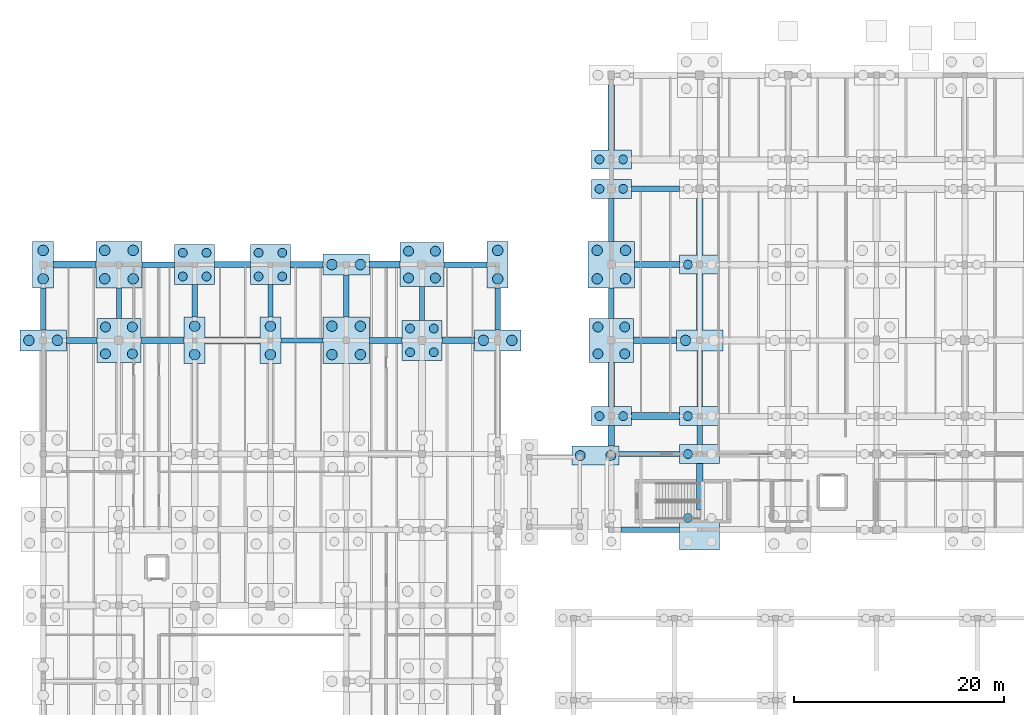
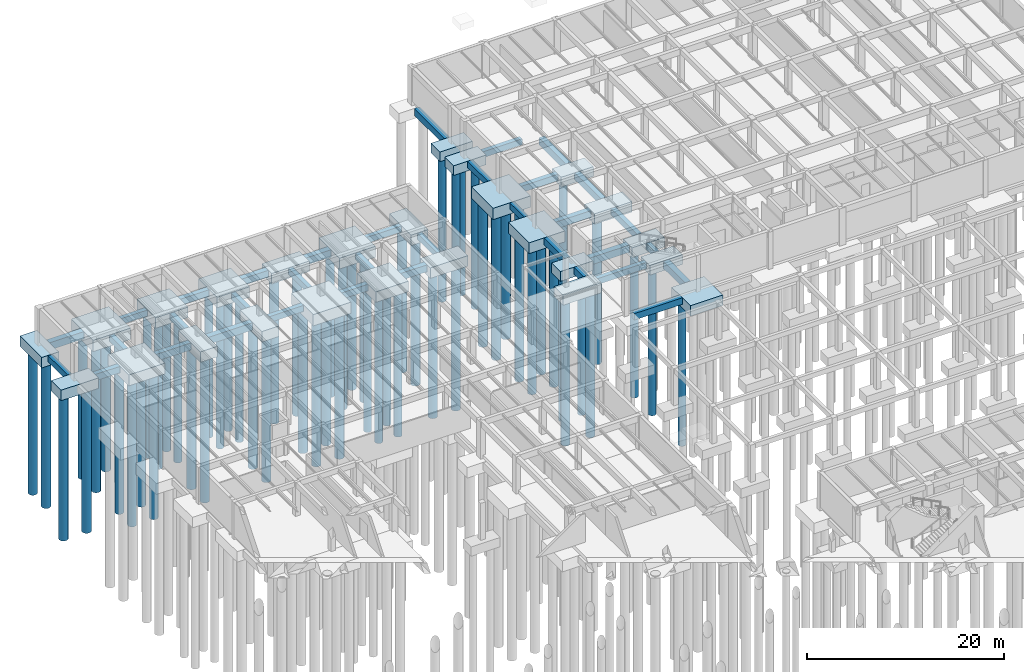
# One storey, part 8 of 63: 63 piles, 60 footings.
"""IFC4 building model written with IfcOpenShell, lengths in metres."""

import ifcopenshell
import ifcopenshell.guid

model = None  # the IFC model being written
_history = None  # IfcOwnerHistory: only IFC2X3 demands one
_inside = {}  # id of a spatial element -> (the spatial element, [elements in it])
_under = {}  # id of a project, library or spatial element -> (it, [spatial elements below it])
_declared = {}  # id of a project -> (the project, [libraries it declares])
_typed = {}  # id of a type object -> (the type object, [elements of that type])
_made_of = {}  # id of a material, layer set ... -> (it, [elements and type objects made of it])


def new_model(schema):
    """Start an empty IFC model of exactly this schema.

    Asked for "IFC4X3", IfcOpenShell would pick the latest addendum, in which some entities
    have other attributes; the version numbers below select the first issue.
    IFC2X3 requires an IfcOwnerHistory on every rooted entity: one is made here for all.
    """
    global model, _history
    if schema == "IFC4X3":
        model = ifcopenshell.file(schema_version=(4, 3, 0, 0))
    else:
        model = ifcopenshell.file(schema=schema)
    _inside.clear()
    _under.clear()
    _declared.clear()
    _typed.clear()
    _made_of.clear()
    _history = None
    if model.schema == "IFC2X3":
        org = make("IfcOrganization", Name="unknown")
        user = make(
            "IfcPersonAndOrganization",
            ThePerson=make("IfcPerson", FamilyName="unknown"),
            TheOrganization=org,
        )
        app = make(
            "IfcApplication",
            ApplicationDeveloper=org,
            Version="unknown",
            ApplicationFullName="unknown",
            ApplicationIdentifier="unknown",
        )
        _history = make(
            "IfcOwnerHistory",
            OwningUser=user,
            OwningApplication=app,
            ChangeAction="ADDED",
            CreationDate=0,
        )
    return model


def make(cls, **values):
    """One entity of the class cls with the attributes given. An attribute that is None is left unset."""
    return model.create_entity(
        cls, **{name: value for name, value in values.items() if value is not None}
    )


def rooted(cls, **values):
    """An entity with a GlobalId (a new one), such as an element, a storey or a relation."""
    return make(cls, GlobalId=ifcopenshell.guid.new(), OwnerHistory=_history, **values)


def si_unit(unit_type, name, prefix=None):
    """IfcSIUnit, for example si_unit("LENGTHUNIT", "METRE", prefix="MILLI")."""
    return make("IfcSIUnit", UnitType=unit_type, Prefix=prefix, Name=name)


def assignment(units):
    """IfcUnitAssignment: the units of a project."""
    return None if units is None else make("IfcUnitAssignment", Units=units)


def point(xyz):
    """IfcCartesianPoint."""
    return None if xyz is None else make("IfcCartesianPoint", Coordinates=xyz)


def direction(xyz):
    """IfcDirection."""
    return None if xyz is None else make("IfcDirection", DirectionRatios=xyz)


def frame(location, z_axis=None, x_axis=None):
    """IfcAxis2Placement3D, a coordinate frame: its origin and axes. An axis left out is left unset."""
    return make(
        "IfcAxis2Placement3D",
        Location=point(location),
        Axis=direction(z_axis),
        RefDirection=direction(x_axis),
    )


def frame_2d(location, x_axis=None):
    """IfcAxis2Placement2D, a coordinate frame in the plane: its origin and x axis."""
    return make(
        "IfcAxis2Placement2D", Location=point(location), RefDirection=direction(x_axis)
    )


def origin():
    """The frame at (0, 0, 0) with its axes left unset."""
    return frame((0.0, 0.0, 0.0))


def origin_2d():
    """The frame at (0, 0) in the plane with its x axis left unset."""
    return frame_2d((0.0, 0.0))


def place(relative_to, where):
    """IfcLocalPlacement: puts the frame where relative to a parent placement (None: the world)."""
    return make(
        "IfcLocalPlacement", PlacementRelTo=relative_to, RelativePlacement=where
    )


def context(
    kind, dimensions, precision=None, world=None, true_north=None, identifier=None
):
    """IfcGeometricRepresentationContext, for example the 3D "Model" context."""
    return make(
        "IfcGeometricRepresentationContext",
        ContextIdentifier=identifier,
        ContextType=kind,
        CoordinateSpaceDimension=dimensions,
        Precision=precision,
        WorldCoordinateSystem=world,
        TrueNorth=true_north,
    )


def subcontext(parent, identifier, kind, view, scale=None):
    """IfcGeometricRepresentationSubContext, for example "Body" below "Model"."""
    return make(
        "IfcGeometricRepresentationSubContext",
        ContextIdentifier=identifier,
        ContextType=kind,
        ParentContext=parent,
        TargetScale=scale,
        TargetView=view,
    )


def project(units=None, contexts=None):
    """IfcProject with its units and contexts."""
    return rooted(
        "IfcProject",
        Name="project",
        RepresentationContexts=contexts,
        UnitsInContext=assignment(units),
    )


def spatial(cls, under=None, at=None, **own):
    """A site, building, storey or space (cls), placed at a placement, below another one or the project."""
    s = rooted(cls, ObjectPlacement=at, **own)
    if under is not None:
        _under.setdefault(under.id(), (under, []))[1].append(s)
    return s


def profile(cls, at=None, kind="AREA", **sizes):
    """A parametric profile (cls). Its sizes go by their IFC names, for example OverallWidth=200.0."""
    return make(cls, ProfileType=kind, Position=at, **sizes)


def rectangle(**sizes):
    """IfcRectangleProfileDef."""
    return profile("IfcRectangleProfileDef", **sizes)


def circle(**sizes):
    """IfcCircleProfileDef."""
    return profile("IfcCircleProfileDef", **sizes)


def extrude(swept, where, along, depth):
    """IfcExtrudedAreaSolid: the profile swept, set in the frame where, extruded along a direction by depth."""
    return make(
        "IfcExtrudedAreaSolid",
        SweptArea=swept,
        Position=where,
        ExtrudedDirection=direction(along),
        Depth=depth,
    )


def shape(context_of_items, identifier, shape_type, items):
    """IfcShapeRepresentation: the items that make up one representation, for example the "Body"."""
    return make(
        "IfcShapeRepresentation",
        ContextOfItems=context_of_items,
        RepresentationIdentifier=identifier,
        RepresentationType=shape_type,
        Items=items,
    )


def material(Name=None, Category=None):
    """IfcMaterial."""
    return make("IfcMaterial", Name=Name, Category=Category)


def material_profile(
    of_material, cross_section, Name=None, Category=None, Priority=None
):
    """IfcMaterialProfile: a cross section and its material."""
    return make(
        "IfcMaterialProfile",
        Name=Name,
        Material=of_material,
        Profile=cross_section,
        Priority=Priority,
        Category=Category,
    )


def profile_set(profiles, Name=None, composite=None):
    """IfcMaterialProfileSet."""
    return make(
        "IfcMaterialProfileSet",
        Name=Name,
        MaterialProfiles=profiles,
        CompositeProfile=composite,
    )


def made_of(thing, what):
    """Note that an element or type object is made of a material, layer set ...; save() writes the relation."""
    if what is not None:
        _made_of.setdefault(what.id(), (what, []))[1].append(thing)
    return thing


def type_object(cls, material=None, **own):
    """A type object (cls), such as IfcWallType, which elements share."""
    return made_of(rooted(cls, **own), material)


def element(
    cls,
    number,
    at=None,
    inside=None,
    cuts=None,
    type_object=None,
    material=None,
    context=None,
    identifier="Body",
    shape_type=None,
    held_by="IfcProductDefinitionShape",
    body=None,
    shapes=None,
    **own,
):
    """One element of the class cls, such as IfcWall. Its Tag is "e" and its number.

    at: its placement. inside: the storey or other place that contains it. cuts: it is an
    opening in that element (IfcRelVoidsElement). A single representation is given by context,
    identifier, shape_type and body (its items); several are given by shapes. held_by: the class
    of the entity that holds the representations. save() writes the other relations.
    """
    e = rooted(cls, Tag="e%d" % number, ObjectPlacement=at, **own)
    if body is not None:
        shapes = [shape(context, identifier, shape_type, body)]
    if shapes is not None:
        e.Representation = make(held_by, Representations=shapes)
    if inside is not None:
        _inside.setdefault(inside.id(), (inside, []))[1].append(e)
    if cuts is not None:
        rooted(
            "IfcRelVoidsElement", RelatingBuildingElement=cuts, RelatedOpeningElement=e
        )
    if type_object is not None:
        _typed.setdefault(type_object.id(), (type_object, []))[1].append(e)
    return made_of(e, material)


def aggregate(whole, parts):
    """IfcRelAggregates: a whole, such as a stair, and the parts it consists of."""
    return rooted("IfcRelAggregates", RelatingObject=whole, RelatedObjects=parts)


def save(model, path):
    """Write the relations noted so far, then the file.

    IfcRelAggregates (storeys below a building ...), IfcRelContainedInSpatialStructure (elements
    in a storey), IfcRelDefinesByType, IfcRelAssociatesMaterial and IfcRelDeclares: one each for
    every whole, place, type object, material and project.
    """
    for whole, parts in _under.values():
        aggregate(whole, parts)
    for where, things in _inside.values():
        rooted(
            "IfcRelContainedInSpatialStructure",
            RelatedElements=things,
            RelatingStructure=where,
        )
    for kind, things in _typed.values():
        rooted("IfcRelDefinesByType", RelatedObjects=things, RelatingType=kind)
    for what, things in _made_of.values():
        rooted("IfcRelAssociatesMaterial", RelatedObjects=things, RelatingMaterial=what)
    for by, libraries in _declared.values():
        rooted("IfcRelDeclares", RelatingContext=by, RelatedDefinitions=libraries)
    model.write(path)


model = new_model("IFC4")

# Units and contexts
model_context = context("Model", 3, precision=1e-05, world=origin(), true_north=direction((0.0, 1.0)))
body_context = subcontext(model_context, "Body", "Model", "MODEL_VIEW")
ifc_project = project(units=[si_unit("LENGTHUNIT", "METRE"), si_unit("AREAUNIT", "SQUARE_METRE"), si_unit("VOLUMEUNIT", "CUBIC_METRE"), si_unit("PLANEANGLEUNIT", "RADIAN"), si_unit("MASSUNIT", "GRAM", prefix="KILO")], contexts=[model_context])

# Site, building, storey
site_placement = place(None, origin())
site = spatial("IfcSite", under=ifc_project, at=site_placement, CompositionType="ELEMENT")
building_placement = place(site_placement, origin())
building = spatial("IfcBuilding", under=site, at=building_placement, Name="Mazaris Harbour Polytechnic", CompositionType="ELEMENT")
storey_placement = place(building_placement, frame((0.0, 0.0, -4.5)))
storey = spatial("IfcBuildingStorey", under=building, at=storey_placement, Name="B1", CompositionType="ELEMENT", Elevation=-4.5)

# Piles
ifc_material_1 = material(Name="Concrete C35/45", Category="concrete")
ifc_material_profile_1 = material_profile(ifc_material_1, circle(Radius=0.5, at=origin_2d()), Name="DIA1000")
ifc_profile_set_1 = profile_set([ifc_material_profile_1], Name="Concrete C35/45")
pile_type_1 = type_object("IfcPileType", Name="Bored Pile 1000", PredefinedType="BORED", material=ifc_profile_set_1)
for number, where, z_axis, x_axis, name in (
    (1, (52.64990234375, 99.449951171875, -1.760009765625), (0.0, 0.0, -1.0), (1.0, 0.0, 0.0), "Bored Pile BP-005-1"),
    (2, (55.35009765625, 99.449951171875, -1.760009765625), (0.0, 0.0, -1.0), (1.0, 0.0, 0.0), "Bored Pile BP-005-2"),
    (3, (52.64990234375, 102.14990234375, -1.760009765625), (0.0, 0.0, -1.0), (1.0, 0.0, 0.0), "Bored Pile BP-005-3"),
    (4, (55.35009765625, 102.14990234375, -1.760009765625), (0.0, 0.0, -1.0), (1.0, 0.0, 0.0), "Bored Pile BP-005-4"),
    (5, (61.050048828125, 93.60009765625, -1.659912109375), (0.0, 0.0, -1.0), (1.0, 0.0, 0.0), "Bored Pile BP-012-1"),
    (6, (-1.35009765625, 93.60009765625, -1.6201171875), (0.0, 0.0, -1.0), (1.0, 0.0, 0.0), "Bored Pile BP-163-1"),
    (7, (1.35009765625, 93.60009765625, -1.6201171875), (0.0, 0.0, -1.0), (1.0, 0.0, 0.0), "Bored Pile BP-163-2"),
    (8, (0.0, 99.449951171875, -1.6201171875), (0.0, 0.0, -1.0), (1.0, 0.0, 0.0), "Bored Pile BP-164-1"),
    (9, (0.0, 102.14990234375, -1.6201171875), (0.0, 0.0, -1.0), (1.0, 0.0, 0.0), "Bored Pile BP-164-2"),
    (10, (5.85009765625, 99.449951171875, -1.719970703125), (0.0, 0.0, -1.0), (1.0, 0.0, 0.0), "Bored Pile BP-177-1"),
    (11, (8.550048828125, 99.449951171875, -1.719970703125), (0.0, 0.0, -1.0), (1.0, 0.0, 0.0), "Bored Pile BP-177-2"),
    (12, (5.85009765625, 102.14990234375, -1.719970703125), (0.0, 0.0, -1.0), (1.0, 0.0, 0.0), "Bored Pile BP-177-3"),
    (13, (8.550048828125, 102.14990234375, -1.719970703125), (0.0, 0.0, -1.0), (1.0, 0.0, 0.0), "Bored Pile BP-177-4"),
    (14, (14.39990234375, 92.25, -1.6201171875), (0.0, 0.0, -1.0), (1.0, 0.0, 0.0), "Bored Pile BP-189-1"),
    (15, (14.39990234375, 94.949951171875, -1.6201171875), (0.0, 0.0, -1.0), (1.0, 0.0, 0.0), "Bored Pile BP-189-2"),
    (16, (21.60009765625, 92.25, -1.6201171875), (0.0, 0.0, -1.0), (1.0, 0.0, 0.0), "Bored Pile BP-199-1"),
    (17, (21.60009765625, 94.949951171875, -1.6201171875), (0.0, 0.0, -1.0), (1.0, 0.0, 0.0), "Bored Pile BP-199-2"),
    (18, (27.449951171875, 92.25, -1.719970703125), (0.0, 0.0, -1.0), (1.0, 0.0, 0.0), "Bored Pile BP-212-1"),
    (19, (30.14990234375, 92.25, -1.719970703125), (0.0, 0.0, -1.0), (1.0, 0.0, 0.0), "Bored Pile BP-212-2"),
    (20, (27.449951171875, 94.949951171875, -1.719970703125), (0.0, 0.0, -1.0), (1.0, 0.0, 0.0), "Bored Pile BP-212-3"),
    (21, (30.14990234375, 94.949951171875, -1.719970703125), (0.0, 0.0, -1.0), (1.0, 0.0, 0.0), "Bored Pile BP-212-4"),
    (22, (27.449951171875, 100.800048828125, -1.6201171875), (0.0, 0.0, -1.0), (1.0, 0.0, 0.0), "Bored Pile BP-213-1"),
    (23, (30.14990234375, 100.800048828125, -1.6201171875), (0.0, 0.0, -1.0), (1.0, 0.0, 0.0), "Bored Pile BP-213-2"),
    (24, (41.85009765625, 93.60009765625, -1.6201171875), (0.0, 0.0, -1.0), (1.0, 0.0, 0.0), "Bored Pile BP-238-1"),
    (25, (44.550048828125, 93.60009765625, -1.6201171875), (0.0, 0.0, -1.0), (1.0, 0.0, 0.0), "Bored Pile BP-238-2"),
    (26, (43.199951171875, 99.449951171875, -1.6201171875), (0.0, 0.0, -1.0), (1.0, 0.0, 0.0), "Bored Pile BP-239-1"),
    (27, (43.199951171875, 102.14990234375, -1.6201171875), (0.0, 0.0, -1.0), (1.0, 0.0, 0.0), "Bored Pile BP-239-2"),
):
    element("IfcPile", number, at=place(storey_placement, frame(where, z_axis=z_axis, x_axis=x_axis)), inside=storey, type_object=pile_type_1, Name=name, PredefinedType="BORED", context=body_context, shape_type="SweptSolid", body=[
        extrude(circle(Radius=0.5, at=origin_2d()), origin(), (0.0, 0.0, 1.0), 18.0),
    ])
ifc_material_2 = material(Name="Concrete C35/45", Category="concrete")
ifc_material_profile_2 = material_profile(ifc_material_2, circle(Radius=0.425048828125, at=origin_2d()), Name="DIA850")
ifc_profile_set_2 = profile_set([ifc_material_profile_2], Name="Concrete C35/45")
pile_type_2 = type_object("IfcPileType", Name="Bored Pile 850", PredefinedType="BORED", material=ifc_profile_set_2)
for number, where, z_axis, x_axis, name in (
    (28, (52.873779296875, 86.39990234375, -1.56005859375), (0.0, 0.0, -1.0), (1.0, 0.0, 0.0), "Bored Pile BP-003-1"),
    (29, (55.126220703125, 86.39990234375, -1.56005859375), (0.0, 0.0, -1.0), (1.0, 0.0, 0.0), "Bored Pile BP-003-2"),
    (30, (52.873779296875, 108.0, -1.56005859375), (0.0, 0.0, -1.0), (1.0, 0.0, 0.0), "Bored Pile BP-006-1"),
    (31, (55.126220703125, 108.0, -1.56005859375), (0.0, 0.0, -1.0), (1.0, 0.0, 0.0), "Bored Pile BP-006-2"),
    (32, (52.873779296875, 110.800048828125, -1.56005859375), (0.0, 0.0, -1.0), (1.0, 0.0, 0.0), "Bored Pile BP-007-1"),
    (33, (55.126220703125, 110.800048828125, -1.56005859375), (0.0, 0.0, -1.0), (1.0, 0.0, 0.0), "Bored Pile BP-007-2"),
    (34, (61.273681640625, 76.726318359375, -1.659912109375), (0.0, 0.0, -1.0), (1.0, 0.0, 0.0), "Bored Pile BP-009-3"),
    (35, (61.273681640625, 82.800048828125, -1.56005859375), (0.0, 0.0, -1.0), (1.0, 0.0, 0.0), "Bored Pile BP-010-1"),
    (36, (61.273681640625, 86.39990234375, -1.56005859375), (0.0, 0.0, -1.0), (1.0, 0.0, 0.0), "Bored Pile BP-011-1"),
    (37, (61.273681640625, 100.800048828125, -1.56005859375), (0.0, 0.0, -1.0), (1.0, 0.0, 0.0), "Bored Pile BP-013-1"),
    (38, (13.273681640625, 99.673828125, -1.6201171875), (0.0, 0.0, -1.0), (1.0, 0.0, 0.0), "Bored Pile BP-190-1"),
    (39, (15.526123046875, 99.673828125, -1.6201171875), (0.0, 0.0, -1.0), (1.0, 0.0, 0.0), "Bored Pile BP-190-2"),
    (40, (13.273681640625, 101.92626953125, -1.6201171875), (0.0, 0.0, -1.0), (1.0, 0.0, 0.0), "Bored Pile BP-190-3"),
    (41, (15.526123046875, 101.92626953125, -1.6201171875), (0.0, 0.0, -1.0), (1.0, 0.0, 0.0), "Bored Pile BP-190-4"),
    (42, (20.473876953125, 99.673828125, -1.6201171875), (0.0, 0.0, -1.0), (1.0, 0.0, 0.0), "Bored Pile BP-200-1"),
    (43, (22.726318359375, 99.673828125, -1.6201171875), (0.0, 0.0, -1.0), (1.0, 0.0, 0.0), "Bored Pile BP-200-2"),
    (44, (20.473876953125, 101.92626953125, -1.6201171875), (0.0, 0.0, -1.0), (1.0, 0.0, 0.0), "Bored Pile BP-200-3"),
    (45, (22.726318359375, 101.92626953125, -1.6201171875), (0.0, 0.0, -1.0), (1.0, 0.0, 0.0), "Bored Pile BP-200-4"),
    (46, (34.873779296875, 92.473876953125, -1.6201171875), (0.0, 0.0, -1.0), (1.0, 0.0, 0.0), "Bored Pile BP-225-1"),
    (47, (37.126220703125, 92.473876953125, -1.6201171875), (0.0, 0.0, -1.0), (1.0, 0.0, 0.0), "Bored Pile BP-225-2"),
    (48, (34.873779296875, 94.726318359375, -1.6201171875), (0.0, 0.0, -1.0), (1.0, 0.0, 0.0), "Bored Pile BP-225-3"),
    (49, (37.126220703125, 94.726318359375, -1.6201171875), (0.0, 0.0, -1.0), (1.0, 0.0, 0.0), "Bored Pile BP-225-4"),
):
    element("IfcPile", number, at=place(storey_placement, frame(where, z_axis=z_axis, x_axis=x_axis)), inside=storey, type_object=pile_type_2, Name=name, PredefinedType="BORED", context=body_context, shape_type="SweptSolid", body=[
        extrude(circle(Radius=0.425048828125, at=origin_2d()), origin(), (0.0, 0.0, 1.0), 18.0),
    ])
ifc_material_3 = material(Name="Concrete C35/45", Category="concrete")
ifc_material_profile_3 = material_profile(ifc_material_3, circle(Radius=0.47509765625, at=origin_2d()), Name="DIA950")
ifc_profile_set_3 = profile_set([ifc_material_profile_3], Name="Concrete C35/45")
pile_type_3 = type_object("IfcPileType", Name="Bored Pile 950", PredefinedType="BORED", material=ifc_profile_set_3)
for number, where, z_axis, x_axis, name in (
    (50, (51.044921875, 82.64990234375, -1.610107421875), (0.0, 0.0, -1.0), (1.0, 0.0, 0.0), "Bored Pile BP-002-1"),
    (51, (53.955078125, 82.64990234375, -1.610107421875), (0.0, 0.0, -1.0), (1.0, 0.0, 0.0), "Bored Pile BP-002-2"),
    (52, (52.72509765625, 92.324951171875, -1.7099609375), (0.0, 0.0, -1.0), (1.0, 0.0, 0.0), "Bored Pile BP-004-1"),
    (53, (55.27490234375, 92.324951171875, -1.7099609375), (0.0, 0.0, -1.0), (1.0, 0.0, 0.0), "Bored Pile BP-004-2"),
    (54, (52.72509765625, 94.875, -1.7099609375), (0.0, 0.0, -1.0), (1.0, 0.0, 0.0), "Bored Pile BP-004-3"),
    (55, (55.27490234375, 94.875, -1.7099609375), (0.0, 0.0, -1.0), (1.0, 0.0, 0.0), "Bored Pile BP-004-4"),
    (56, (5.925048828125, 92.324951171875, -1.669921875), (0.0, 0.0, -1.0), (1.0, 0.0, 0.0), "Bored Pile BP-176-1"),
    (57, (8.47509765625, 92.324951171875, -1.669921875), (0.0, 0.0, -1.0), (1.0, 0.0, 0.0), "Bored Pile BP-176-2"),
    (58, (5.925048828125, 94.875, -1.669921875), (0.0, 0.0, -1.0), (1.0, 0.0, 0.0), "Bored Pile BP-176-3"),
    (59, (8.47509765625, 94.875, -1.669921875), (0.0, 0.0, -1.0), (1.0, 0.0, 0.0), "Bored Pile BP-176-4"),
    (60, (34.72509765625, 99.52490234375, -1.669921875), (0.0, 0.0, -1.0), (1.0, 0.0, 0.0), "Bored Pile BP-226-1"),
    (61, (37.27490234375, 99.52490234375, -1.669921875), (0.0, 0.0, -1.0), (1.0, 0.0, 0.0), "Bored Pile BP-226-2"),
    (62, (34.72509765625, 102.074951171875, -1.669921875), (0.0, 0.0, -1.0), (1.0, 0.0, 0.0), "Bored Pile BP-226-3"),
    (63, (37.27490234375, 102.074951171875, -1.669921875), (0.0, 0.0, -1.0), (1.0, 0.0, 0.0), "Bored Pile BP-226-4"),
):
    element("IfcPile", number, at=place(storey_placement, frame(where, z_axis=z_axis, x_axis=x_axis)), inside=storey, type_object=pile_type_3, Name=name, PredefinedType="BORED", context=body_context, shape_type="SweptSolid", body=[
        extrude(circle(Radius=0.47509765625, at=origin_2d()), origin(), (0.0, 0.0, 1.0), 18.0),
    ])

# Footings
ifc_material_4 = material(Name="Concrete C35/45", Category="concrete")
footing_type_1 = type_object("IfcFootingType", Name="Pile Cap 2000x4400x1300", PredefinedType="PILE_CAP", material=ifc_material_4)
for number, where, z_axis, x_axis, name in (
    (64, (0.0, 100.800048828125, -1.72021484375), (0.0, 0.0, 1.0), (1.0, 0.0, 0.0), "Pile Cap CAP-164"),
    (65, (14.39990234375, 93.60009765625, -1.72021484375), (0.0, 0.0, 1.0), (1.0, 0.0, 0.0), "Pile Cap CAP-189"),
    (66, (21.60009765625, 93.60009765625, -1.72021484375), (0.0, 0.0, 1.0), (1.0, 0.0, 0.0), "Pile Cap CAP-199"),
    (67, (43.199951171875, 100.800048828125, -1.72021484375), (0.0, 0.0, 1.0), (1.0, 0.0, 0.0), "Pile Cap CAP-239"),
):
    element("IfcFooting", number, at=place(storey_placement, frame(where, z_axis=z_axis, x_axis=x_axis)), inside=storey, type_object=footing_type_1, Name=name, PredefinedType="PILE_CAP", context=body_context, shape_type="SweptSolid", body=[
        extrude(rectangle(XDim=2.0, YDim=4.39990234375, at=origin_2d()), origin(), (0.0, 0.0, 1.0), 1.300048828125),
    ])
ifc_material_5 = material(Name="Concrete C35/45", Category="concrete")
footing_type_2 = type_object("IfcFootingType", Name="Pile Cap 3800x1800x1200", PredefinedType="PILE_CAP", material=ifc_material_5)
for number, where, z_axis, x_axis, name in (
    (68, (54.0, 86.39990234375, -1.66015625), (0.0, 0.0, 1.0), (1.0, 0.0, 0.0), "Pile Cap CAP-003"),
    (69, (54.0, 108.0, -1.66015625), (0.0, 0.0, 1.0), (1.0, 0.0, 0.0), "Pile Cap CAP-006"),
    (70, (54.0, 110.800048828125, -1.66015625), (0.0, 0.0, 1.0), (1.0, 0.0, 0.0), "Pile Cap CAP-007"),
    (71, (62.39990234375, 82.800048828125, -1.66015625), (0.0, 0.0, 1.0), (1.0, 0.0, 0.0), "Pile Cap CAP-010"),
    (72, (62.39990234375, 86.39990234375, -1.66015625), (0.0, 0.0, 1.0), (1.0, 0.0, 0.0), "Pile Cap CAP-011"),
    (73, (62.39990234375, 100.800048828125, -1.66015625), (0.0, 0.0, 1.0), (1.0, 0.0, 0.0), "Pile Cap CAP-013"),
):
    element("IfcFooting", number, at=place(storey_placement, frame(where, z_axis=z_axis, x_axis=x_axis)), inside=storey, type_object=footing_type_2, Name=name, PredefinedType="PILE_CAP", context=body_context, shape_type="SweptSolid", body=[
        extrude(rectangle(XDim=3.800048828125, YDim=1.800048828125, at=origin_2d()), origin(), (0.0, 0.0, 1.0), 1.199951171875),
    ])
ifc_material_6 = material(Name="Concrete C35/45", Category="concrete")
footing_type_3 = type_object("IfcFootingType", Name="Pile Cap 3800x3800x1300", PredefinedType="PILE_CAP", material=ifc_material_6)
for number, where, z_axis, x_axis, name in (
    (74, (62.39990234375, 75.60009765625, -1.76025390625), (0.0, 0.0, 1.0), (1.0, 0.0, 0.0), "Pile Cap CAP-009"),
    (75, (14.39990234375, 100.800048828125, -1.72021484375), (0.0, 0.0, 1.0), (1.0, 0.0, 0.0), "Pile Cap CAP-190"),
    (76, (21.60009765625, 100.800048828125, -1.72021484375), (0.0, 0.0, 1.0), (1.0, 0.0, 0.0), "Pile Cap CAP-200"),
    (77, (36.0, 93.60009765625, -1.72021484375), (0.0, 0.0, 1.0), (1.0, 0.0, 0.0), "Pile Cap CAP-225"),
):
    element("IfcFooting", number, at=place(storey_placement, frame(where, z_axis=z_axis, x_axis=x_axis)), inside=storey, type_object=footing_type_3, Name=name, PredefinedType="PILE_CAP", context=body_context, shape_type="SweptSolid", body=[
        extrude(rectangle(XDim=3.800048828125, YDim=3.800048828125, at=origin_2d()), origin(), (0.0, 0.0, 1.0), 1.300048828125),
    ])
ifc_material_7 = material(Name="Concrete C35/45", Category="concrete")
footing_type_4 = type_object("IfcFootingType", Name="Pile Cap 4200x4200x1350", PredefinedType="PILE_CAP", material=ifc_material_7)
for number, where, z_axis, x_axis, name in (
    (78, (54.0, 93.60009765625, -1.81005859375), (0.0, 0.0, 1.0), (1.0, 0.0, 0.0), "Pile Cap CAP-004"),
    (79, (7.199951171875, 93.60009765625, -1.77001953125), (0.0, 0.0, 1.0), (1.0, 0.0, 0.0), "Pile Cap CAP-176"),
    (80, (36.0, 100.800048828125, -1.77001953125), (0.0, 0.0, 1.0), (1.0, 0.0, 0.0), "Pile Cap CAP-226"),
):
    element("IfcFooting", number, at=place(storey_placement, frame(where, z_axis=z_axis, x_axis=x_axis)), inside=storey, type_object=footing_type_4, Name=name, PredefinedType="PILE_CAP", context=body_context, shape_type="SweptSolid", body=[
        extrude(rectangle(XDim=4.199951171875, YDim=4.199951171875, at=origin_2d()), origin(), (0.0, 0.0, 1.0), 1.35009765625),
    ])
ifc_material_8 = material(Name="Concrete C35/45", Category="concrete")
footing_type_5 = type_object("IfcFootingType", Name="Pile Cap 4400x2000x1300", PredefinedType="PILE_CAP", material=ifc_material_8)
for number, where, z_axis, x_axis, name in (
    (81, (62.39990234375, 93.60009765625, -1.76025390625), (0.0, 0.0, 1.0), (1.0, 0.0, 0.0), "Pile Cap CAP-012"),
    (82, (0.0, 93.60009765625, -1.72021484375), (0.0, 0.0, 1.0), (1.0, 0.0, 0.0), "Pile Cap CAP-163"),
    (83, (28.800048828125, 100.800048828125, -1.72021484375), (0.0, 0.0, 1.0), (1.0, 0.0, 0.0), "Pile Cap CAP-213"),
    (84, (43.199951171875, 93.60009765625, -1.72021484375), (0.0, 0.0, 1.0), (1.0, 0.0, 0.0), "Pile Cap CAP-238"),
):
    element("IfcFooting", number, at=place(storey_placement, frame(where, z_axis=z_axis, x_axis=x_axis)), inside=storey, type_object=footing_type_5, Name=name, PredefinedType="PILE_CAP", context=body_context, shape_type="SweptSolid", body=[
        extrude(rectangle(XDim=4.39990234375, YDim=2.0, at=origin_2d()), origin(), (0.0, 0.0, 1.0), 1.300048828125),
    ])
ifc_material_9 = material(Name="Concrete C35/45", Category="concrete")
footing_type_6 = type_object("IfcFootingType", Name="Pile Cap 4400x4400x1400", PredefinedType="PILE_CAP", material=ifc_material_9)
for number, where, z_axis, x_axis, name in (
    (85, (54.0, 100.800048828125, -1.85986328125), (0.0, 0.0, 1.0), (1.0, 0.0, 0.0), "Pile Cap CAP-005"),
    (86, (7.199951171875, 100.800048828125, -1.820068359375), (0.0, 0.0, 1.0), (1.0, 0.0, 0.0), "Pile Cap CAP-177"),
    (87, (28.800048828125, 93.60009765625, -1.820068359375), (0.0, 0.0, 1.0), (1.0, 0.0, 0.0), "Pile Cap CAP-212"),
):
    element("IfcFooting", number, at=place(storey_placement, frame(where, z_axis=z_axis, x_axis=x_axis)), inside=storey, type_object=footing_type_6, Name=name, PredefinedType="PILE_CAP", context=body_context, shape_type="SweptSolid", body=[
        extrude(rectangle(XDim=4.39990234375, YDim=4.39990234375, at=origin_2d()), origin(), (0.0, 0.0, 1.0), 1.39990234375),
    ])
ifc_material_10 = material(Name="Concrete C35/45", Category="concrete")
footing_type_7 = type_object("IfcFootingType", Name="Pile Cap 4500x1800x1250", PredefinedType="PILE_CAP", material=ifc_material_10)
footing_1_placement = place(storey_placement, frame((52.5, 82.64990234375, -1.7099609375), z_axis=(0.0, 0.0, 1.0), x_axis=(1.0, 0.0, 0.0)))
element("IfcFooting", 88, at=footing_1_placement, inside=storey, type_object=footing_type_7, Name="Pile Cap CAP-002", PredefinedType="PILE_CAP", context=body_context, shape_type="SweptSolid", body=[
    extrude(rectangle(XDim=4.5, YDim=1.800048828125, at=origin_2d()), origin(), (0.0, 0.0, 1.0), 1.25),
])
ifc_material_11 = material(Name="Concrete C35/45", Category="concrete")
ifc_material_profile_4 = material_profile(ifc_material_11, rectangle(XDim=0.5, YDim=0.75, at=origin_2d()), Name="RECT500x750")
ifc_profile_set_4 = profile_set([ifc_material_profile_4], Name="Concrete C35/45")
footing_type_8 = type_object("IfcFootingType", Name="Seismic Tie Beam 500x750", PredefinedType="FOOTING_BEAM", material=ifc_profile_set_4)
footing_2_placement = place(storey_placement, frame((54.75, 82.800048828125, -0.8349609375), z_axis=(1.0, 0.0, 0.0), x_axis=(0.0, 1.0, 0.0)))
element("IfcFooting", 89, at=footing_2_placement, inside=storey, type_object=footing_type_8, Name="Seismic Tie Beam FTB-008", PredefinedType="FOOTING_BEAM", context=body_context, shape_type="SweptSolid", body=[
    extrude(rectangle(XDim=0.5, YDim=0.75, at=origin_2d()), origin(), (0.0, 0.0, 1.0), 5.75),
])
footing_3_placement = place(storey_placement, frame((55.89990234375, 108.0, -0.8349609375), z_axis=(1.0, 0.0, 0.0), x_axis=(0.0, 1.0, 0.0)))
element("IfcFooting", 90, at=footing_3_placement, inside=storey, type_object=footing_type_8, Name="Seismic Tie Beam FTB-036", PredefinedType="FOOTING_BEAM", context=body_context, shape_type="SweptSolid", body=[
    extrude(rectangle(XDim=0.5, YDim=0.75, at=origin_2d()), origin(), (0.0, 0.0, 1.0), 4.60009765625),
])
footing_4_placement = place(storey_placement, frame((54.0, 95.699951171875, -0.8349609375), z_axis=(0.0, 1.0, 0.0), x_axis=(-1.0, 0.0, 0.0)))
element("IfcFooting", 91, at=footing_4_placement, inside=storey, type_object=footing_type_8, Name="Seismic Tie Beam FTB-060", PredefinedType="FOOTING_BEAM", context=body_context, shape_type="SweptSolid", body=[
    extrude(rectangle(XDim=0.5, YDim=0.75, at=origin_2d()), origin(), (0.0, 0.0, 1.0), 2.900146484375),
])
footing_5_placement = place(storey_placement, frame((62.39990234375, 83.699951171875, -0.8349609375), z_axis=(0.0, 1.0, 0.0), x_axis=(-1.0, 0.0, 0.0)))
element("IfcFooting", 92, at=footing_5_placement, inside=storey, type_object=footing_type_8, Name="Seismic Tie Beam FTB-064", PredefinedType="FOOTING_BEAM", context=body_context, shape_type="SweptSolid", body=[
    extrude(rectangle(XDim=0.5, YDim=0.75, at=origin_2d()), origin(), (0.0, 0.0, 1.0), 1.800048828125),
])
footing_6_placement = place(storey_placement, frame((22.60009765625, 93.60009765625, -0.8349609375), z_axis=(1.0, 0.0, 0.0), x_axis=(0.0, 1.0, 0.0)))
element("IfcFooting", 93, at=footing_6_placement, inside=storey, type_object=footing_type_8, Name="Seismic Tie Beam FTB-316", PredefinedType="FOOTING_BEAM", context=body_context, shape_type="SweptSolid", body=[
    extrude(rectangle(XDim=0.5, YDim=0.75, at=origin_2d()), origin(), (0.0, 0.0, 1.0), 4.0),
])
footing_7_placement = place(storey_placement, frame((9.39990234375, 100.800048828125, -0.8349609375), z_axis=(1.0, 0.0, 0.0), x_axis=(0.0, 1.0, 0.0)))
element("IfcFooting", 94, at=footing_7_placement, inside=storey, type_object=footing_type_8, Name="Seismic Tie Beam FTB-320", PredefinedType="FOOTING_BEAM", context=body_context, shape_type="SweptSolid", body=[
    extrude(rectangle(XDim=0.5, YDim=0.75, at=origin_2d()), origin(), (0.0, 0.0, 1.0), 3.10009765625),
])
footing_8_placement = place(storey_placement, frame((38.10009765625, 100.800048828125, -0.8349609375), z_axis=(1.0, 0.0, 0.0), x_axis=(0.0, 1.0, 0.0)))
element("IfcFooting", 95, at=footing_8_placement, inside=storey, type_object=footing_type_8, Name="Seismic Tie Beam FTB-324", PredefinedType="FOOTING_BEAM", context=body_context, shape_type="SweptSolid", body=[
    extrude(rectangle(XDim=0.5, YDim=0.75, at=origin_2d()), origin(), (0.0, 0.0, 1.0), 4.099853515625),
])
footing_9_placement = place(storey_placement, frame((0.0, 94.60009765625, -0.8349609375), z_axis=(0.0, 1.0, 0.0), x_axis=(-1.0, 0.0, 0.0)))
element("IfcFooting", 96, at=footing_9_placement, inside=storey, type_object=footing_type_8, Name="Seismic Tie Beam FTB-336", PredefinedType="FOOTING_BEAM", context=body_context, shape_type="SweptSolid", body=[
    extrude(rectangle(XDim=0.5, YDim=0.75, at=origin_2d()), origin(), (0.0, 0.0, 1.0), 4.0),
])
footing_10_placement = place(storey_placement, frame((7.199951171875, 95.699951171875, -0.8349609375), z_axis=(0.0, 1.0, 0.0), x_axis=(-1.0, 0.0, 0.0)))
element("IfcFooting", 97, at=footing_10_placement, inside=storey, type_object=footing_type_8, Name="Seismic Tie Beam FTB-348", PredefinedType="FOOTING_BEAM", context=body_context, shape_type="SweptSolid", body=[
    extrude(rectangle(XDim=0.5, YDim=0.75, at=origin_2d()), origin(), (0.0, 0.0, 1.0), 2.900146484375),
])
for number, where, z_axis, x_axis, name in (
    (98, (14.39990234375, 95.800048828125, -0.8349609375), (0.0, 1.0, 0.0), (-1.0, 0.0, 0.0), "Seismic Tie Beam FTB-360"),
    (99, (21.60009765625, 95.800048828125, -0.8349609375), (0.0, 1.0, 0.0), (-1.0, 0.0, 0.0), "Seismic Tie Beam FTB-368"),
):
    element("IfcFooting", number, at=place(storey_placement, frame(where, z_axis=z_axis, x_axis=x_axis)), inside=storey, type_object=footing_type_8, Name=name, PredefinedType="FOOTING_BEAM", context=body_context, shape_type="SweptSolid", body=[
        extrude(rectangle(XDim=0.5, YDim=0.75, at=origin_2d()), origin(), (0.0, 0.0, 1.0), 3.099853515625),
    ])
footing_11_placement = place(storey_placement, frame((28.800048828125, 95.800048828125, -0.8349609375), z_axis=(0.0, 1.0, 0.0), x_axis=(-1.0, 0.0, 0.0)))
element("IfcFooting", 100, at=footing_11_placement, inside=storey, type_object=footing_type_8, Name="Seismic Tie Beam FTB-380", PredefinedType="FOOTING_BEAM", context=body_context, shape_type="SweptSolid", body=[
    extrude(rectangle(XDim=0.5, YDim=0.75, at=origin_2d()), origin(), (0.0, 0.0, 1.0), 4.0),
])
footing_12_placement = place(storey_placement, frame((36.0, 95.5, -0.8349609375), z_axis=(0.0, 1.0, 0.0), x_axis=(-1.0, 0.0, 0.0)))
element("IfcFooting", 101, at=footing_12_placement, inside=storey, type_object=footing_type_8, Name="Seismic Tie Beam FTB-392", PredefinedType="FOOTING_BEAM", context=body_context, shape_type="SweptSolid", body=[
    extrude(rectangle(XDim=0.5, YDim=0.75, at=origin_2d()), origin(), (0.0, 0.0, 1.0), 3.199951171875),
])
footing_13_placement = place(storey_placement, frame((43.199951171875, 94.60009765625, -0.8349609375), z_axis=(0.0, 1.0, 0.0), x_axis=(-1.0, 0.0, 0.0)))
element("IfcFooting", 102, at=footing_13_placement, inside=storey, type_object=footing_type_8, Name="Seismic Tie Beam FTB-404", PredefinedType="FOOTING_BEAM", context=body_context, shape_type="SweptSolid", body=[
    extrude(rectangle(XDim=0.5, YDim=0.75, at=origin_2d()), origin(), (0.0, 0.0, 1.0), 4.0),
])
ifc_material_12 = material(Name="Concrete C35/45", Category="concrete")
ifc_material_profile_5 = material_profile(ifc_material_12, rectangle(XDim=0.550048828125, YDim=0.800048828125, at=origin_2d()), Name="RECT550x800")
ifc_profile_set_5 = profile_set([ifc_material_profile_5], Name="Concrete C35/45")
footing_type_9 = type_object("IfcFootingType", Name="Seismic Tie Beam 550x800", PredefinedType="FOOTING_BEAM", material=ifc_profile_set_5)
footing_14_placement = place(storey_placement, frame((54.89990234375, 75.60009765625, -0.860107421875), z_axis=(1.0, 0.0, 0.0), x_axis=(0.0, 1.0, 0.0)))
element("IfcFooting", 103, at=footing_14_placement, inside=storey, type_object=footing_type_9, Name="Seismic Tie Beam FTB-001", PredefinedType="FOOTING_BEAM", context=body_context, shape_type="SweptSolid", body=[
    extrude(rectangle(XDim=0.550048828125, YDim=0.800048828125, at=origin_2d()), origin(), (0.0, 0.0, 1.0), 5.60009765625),
])
footing_15_placement = place(storey_placement, frame((56.199951171875, 100.800048828125, -0.860107421875), z_axis=(1.0, 0.0, 0.0), x_axis=(0.0, 1.0, 0.0)))
element("IfcFooting", 104, at=footing_15_placement, inside=storey, type_object=footing_type_9, Name="Seismic Tie Beam FTB-029", PredefinedType="FOOTING_BEAM", context=body_context, shape_type="SweptSolid", body=[
    extrude(rectangle(XDim=0.550048828125, YDim=0.800048828125, at=origin_2d()), origin(), (0.0, 0.0, 1.0), 4.300048828125),
])
footing_16_placement = place(storey_placement, frame((54.0, 103.0, -0.860107421875), z_axis=(0.0, 1.0, 0.0), x_axis=(-1.0, 0.0, 0.0)))
element("IfcFooting", 105, at=footing_16_placement, inside=storey, type_object=footing_type_9, Name="Seismic Tie Beam FTB-061", PredefinedType="FOOTING_BEAM", context=body_context, shape_type="SweptSolid", body=[
    extrude(rectangle(XDim=0.550048828125, YDim=0.800048828125, at=origin_2d()), origin(), (0.0, 0.0, 1.0), 4.10009765625),
])
footing_17_placement = place(storey_placement, frame((62.39990234375, 87.300048828125, -0.860107421875), z_axis=(0.0, 1.0, 0.0), x_axis=(-1.0, 0.0, 0.0)))
element("IfcFooting", 106, at=footing_17_placement, inside=storey, type_object=footing_type_9, Name="Seismic Tie Beam FTB-065", PredefinedType="FOOTING_BEAM", context=body_context, shape_type="SweptSolid", body=[
    extrude(rectangle(XDim=0.550048828125, YDim=0.800048828125, at=origin_2d()), origin(), (0.0, 0.0, 1.0), 5.300048828125),
])
footing_18_placement = place(storey_placement, frame((2.199951171875, 93.60009765625, -0.860107421875), z_axis=(1.0, 0.0, 0.0), x_axis=(0.0, 1.0, 0.0)))
element("IfcFooting", 107, at=footing_18_placement, inside=storey, type_object=footing_type_9, Name="Seismic Tie Beam FTB-313", PredefinedType="FOOTING_BEAM", context=body_context, shape_type="SweptSolid", body=[
    extrude(rectangle(XDim=0.550048828125, YDim=0.800048828125, at=origin_2d()), origin(), (0.0, 0.0, 1.0), 2.900146484375),
])
footing_19_placement = place(storey_placement, frame((31.0, 93.60009765625, -0.860107421875), z_axis=(1.0, 0.0, 0.0), x_axis=(0.0, 1.0, 0.0)))
element("IfcFooting", 108, at=footing_19_placement, inside=storey, type_object=footing_type_9, Name="Seismic Tie Beam FTB-317", PredefinedType="FOOTING_BEAM", context=body_context, shape_type="SweptSolid", body=[
    extrude(rectangle(XDim=0.550048828125, YDim=0.800048828125, at=origin_2d()), origin(), (0.0, 0.0, 1.0), 3.10009765625),
])
footing_20_placement = place(storey_placement, frame((16.300048828125, 100.800048828125, -0.860107421875), z_axis=(1.0, 0.0, 0.0), x_axis=(0.0, 1.0, 0.0)))
element("IfcFooting", 109, at=footing_20_placement, inside=storey, type_object=footing_type_9, Name="Seismic Tie Beam FTB-321", PredefinedType="FOOTING_BEAM", context=body_context, shape_type="SweptSolid", body=[
    extrude(rectangle(XDim=0.550048828125, YDim=0.800048828125, at=origin_2d()), origin(), (0.0, 0.0, 1.0), 3.39990234375),
])
ifc_material_13 = material(Name="Concrete C35/45", Category="concrete")
ifc_material_profile_6 = material_profile(ifc_material_13, rectangle(XDim=0.60009765625, YDim=0.85009765625, at=origin_2d()), Name="RECT600x850")
ifc_profile_set_6 = profile_set([ifc_material_profile_6], Name="Concrete C35/45")
footing_type_10 = type_object("IfcFootingType", Name="Seismic Tie Beam 600x850", PredefinedType="FOOTING_BEAM", material=ifc_profile_set_6)
footing_21_placement = place(storey_placement, frame((56.10009765625, 93.60009765625, -0.885009765625), z_axis=(1.0, 0.0, 0.0), x_axis=(0.0, 1.0, 0.0)))
element("IfcFooting", 110, at=footing_21_placement, inside=storey, type_object=footing_type_10, Name="Seismic Tie Beam FTB-022", PredefinedType="FOOTING_BEAM", context=body_context, shape_type="SweptSolid", body=[
    extrude(rectangle(XDim=0.60009765625, YDim=0.85009765625, at=origin_2d()), origin(), (0.0, 0.0, 1.0), 4.099853515625),
])
footing_22_placement = place(storey_placement, frame((54.0, 83.550048828125, -0.885009765625), z_axis=(0.0, 1.0, 0.0), x_axis=(-1.0, 0.0, 0.0)))
element("IfcFooting", 111, at=footing_22_placement, inside=storey, type_object=footing_type_10, Name="Seismic Tie Beam FTB-058", PredefinedType="FOOTING_BEAM", context=body_context, shape_type="SweptSolid", body=[
    extrude(rectangle(XDim=0.60009765625, YDim=0.85009765625, at=origin_2d()), origin(), (0.0, 0.0, 1.0), 1.949951171875),
])
footing_23_placement = place(storey_placement, frame((54.0, 111.699951171875, -0.885009765625), z_axis=(0.0, 1.0, 0.0), x_axis=(-1.0, 0.0, 0.0)))
element("IfcFooting", 112, at=footing_23_placement, inside=storey, type_object=footing_type_10, Name="Seismic Tie Beam FTB-062", PredefinedType="FOOTING_BEAM", context=body_context, shape_type="SweptSolid", body=[
    extrude(rectangle(XDim=0.60009765625, YDim=0.85009765625, at=origin_2d()), origin(), (0.0, 0.0, 1.0), 6.150146484375),
])
footing_24_placement = place(storey_placement, frame((62.39990234375, 94.60009765625, -0.885009765625), z_axis=(0.0, 1.0, 0.0), x_axis=(-1.0, 0.0, 0.0)))
element("IfcFooting", 113, at=footing_24_placement, inside=storey, type_object=footing_type_10, Name="Seismic Tie Beam FTB-066", PredefinedType="FOOTING_BEAM", context=body_context, shape_type="SweptSolid", body=[
    extrude(rectangle(XDim=0.60009765625, YDim=0.85009765625, at=origin_2d()), origin(), (0.0, 0.0, 1.0), 5.2998046875),
])
footing_25_placement = place(storey_placement, frame((9.300048828125, 93.60009765625, -0.885009765625), z_axis=(1.0, 0.0, 0.0), x_axis=(0.0, 1.0, 0.0)))
element("IfcFooting", 114, at=footing_25_placement, inside=storey, type_object=footing_type_10, Name="Seismic Tie Beam FTB-314", PredefinedType="FOOTING_BEAM", context=body_context, shape_type="SweptSolid", body=[
    extrude(rectangle(XDim=0.60009765625, YDim=0.85009765625, at=origin_2d()), origin(), (0.0, 0.0, 1.0), 4.099853515625),
])
for number, where, z_axis, x_axis, name in (
    (115, (37.89990234375, 93.60009765625, -0.885009765625), (1.0, 0.0, 0.0), (0.0, 1.0, 0.0), "Seismic Tie Beam FTB-318"),
    (116, (23.5, 100.800048828125, -0.885009765625), (1.0, 0.0, 0.0), (0.0, 1.0, 0.0), "Seismic Tie Beam FTB-322"),
):
    element("IfcFooting", number, at=place(storey_placement, frame(where, z_axis=z_axis, x_axis=x_axis)), inside=storey, type_object=footing_type_10, Name=name, PredefinedType="FOOTING_BEAM", context=body_context, shape_type="SweptSolid", body=[
        extrude(rectangle(XDim=0.60009765625, YDim=0.85009765625, at=origin_2d()), origin(), (0.0, 0.0, 1.0), 3.10009765625),
    ])
ifc_material_14 = material(Name="Concrete C35/45", Category="concrete")
ifc_material_profile_7 = material_profile(ifc_material_14, rectangle(XDim=0.64990234375, YDim=0.89990234375, at=origin_2d()), Name="RECT650x900")
ifc_profile_set_7 = profile_set([ifc_material_profile_7], Name="Concrete C35/45")
footing_type_11 = type_object("IfcFootingType", Name="Seismic Tie Beam 650x900", PredefinedType="FOOTING_BEAM", material=ifc_profile_set_7)
footing_26_placement = place(storey_placement, frame((55.89990234375, 86.39990234375, -0.909912109375), z_axis=(1.0, 0.0, 0.0), x_axis=(0.0, 1.0, 0.0)))
element("IfcFooting", 117, at=footing_26_placement, inside=storey, type_object=footing_type_11, Name="Seismic Tie Beam FTB-015", PredefinedType="FOOTING_BEAM", context=body_context, shape_type="SweptSolid", body=[
    extrude(rectangle(XDim=0.64990234375, YDim=0.89990234375, at=origin_2d()), origin(), (0.0, 0.0, 1.0), 4.60009765625),
])
footing_27_placement = place(storey_placement, frame((54.0, 87.300048828125, -0.909912109375), z_axis=(0.0, 1.0, 0.0), x_axis=(-1.0, 0.0, 0.0)))
element("IfcFooting", 118, at=footing_27_placement, inside=storey, type_object=footing_type_11, Name="Seismic Tie Beam FTB-059", PredefinedType="FOOTING_BEAM", context=body_context, shape_type="SweptSolid", body=[
    extrude(rectangle(XDim=0.64990234375, YDim=0.89990234375, at=origin_2d()), origin(), (0.0, 0.0, 1.0), 4.199951171875),
])
footing_28_placement = place(storey_placement, frame((62.39990234375, 77.5, -0.909912109375), z_axis=(0.0, 1.0, 0.0), x_axis=(-1.0, 0.0, 0.0)))
element("IfcFooting", 119, at=footing_28_placement, inside=storey, type_object=footing_type_11, Name="Seismic Tie Beam FTB-063", PredefinedType="FOOTING_BEAM", context=body_context, shape_type="SweptSolid", body=[
    extrude(rectangle(XDim=0.64990234375, YDim=0.89990234375, at=origin_2d()), origin(), (0.0, 0.0, 1.0), 4.39990234375),
])
footing_29_placement = place(storey_placement, frame((62.39990234375, 101.699951171875, -0.909912109375), z_axis=(0.0, 1.0, 0.0), x_axis=(-1.0, 0.0, 0.0)))
element("IfcFooting", 120, at=footing_29_placement, inside=storey, type_object=footing_type_11, Name="Seismic Tie Beam FTB-067", PredefinedType="FOOTING_BEAM", context=body_context, shape_type="SweptSolid", body=[
    extrude(rectangle(XDim=0.64990234375, YDim=0.89990234375, at=origin_2d()), origin(), (0.0, 0.0, 1.0), 5.400146484375),
])
footing_30_placement = place(storey_placement, frame((15.39990234375, 93.60009765625, -0.909912109375), z_axis=(1.0, 0.0, 0.0), x_axis=(0.0, 1.0, 0.0)))
element("IfcFooting", 121, at=footing_30_placement, inside=storey, type_object=footing_type_11, Name="Seismic Tie Beam FTB-315", PredefinedType="FOOTING_BEAM", context=body_context, shape_type="SweptSolid", body=[
    extrude(rectangle(XDim=0.64990234375, YDim=0.89990234375, at=origin_2d()), origin(), (0.0, 0.0, 1.0), 5.2001953125),
])
footing_31_placement = place(storey_placement, frame((1.0, 100.800048828125, -0.909912109375), z_axis=(1.0, 0.0, 0.0), x_axis=(0.0, 1.0, 0.0)))
element("IfcFooting", 122, at=footing_31_placement, inside=storey, type_object=footing_type_11, Name="Seismic Tie Beam FTB-319", PredefinedType="FOOTING_BEAM", context=body_context, shape_type="SweptSolid", body=[
    extrude(rectangle(XDim=0.64990234375, YDim=0.89990234375, at=origin_2d()), origin(), (0.0, 0.0, 1.0), 4.0),
])
footing_32_placement = place(storey_placement, frame((31.0, 100.800048828125, -0.909912109375), z_axis=(1.0, 0.0, 0.0), x_axis=(0.0, 1.0, 0.0)))
element("IfcFooting", 123, at=footing_32_placement, inside=storey, type_object=footing_type_11, Name="Seismic Tie Beam FTB-323", PredefinedType="FOOTING_BEAM", context=body_context, shape_type="SweptSolid", body=[
    extrude(rectangle(XDim=0.64990234375, YDim=0.89990234375, at=origin_2d()), origin(), (0.0, 0.0, 1.0), 2.89990234375),
])

save(model, "model.ifc")
